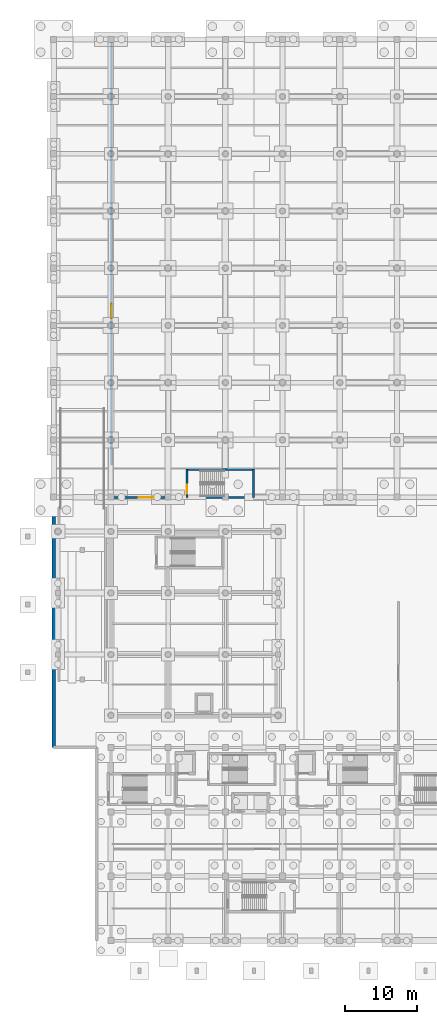
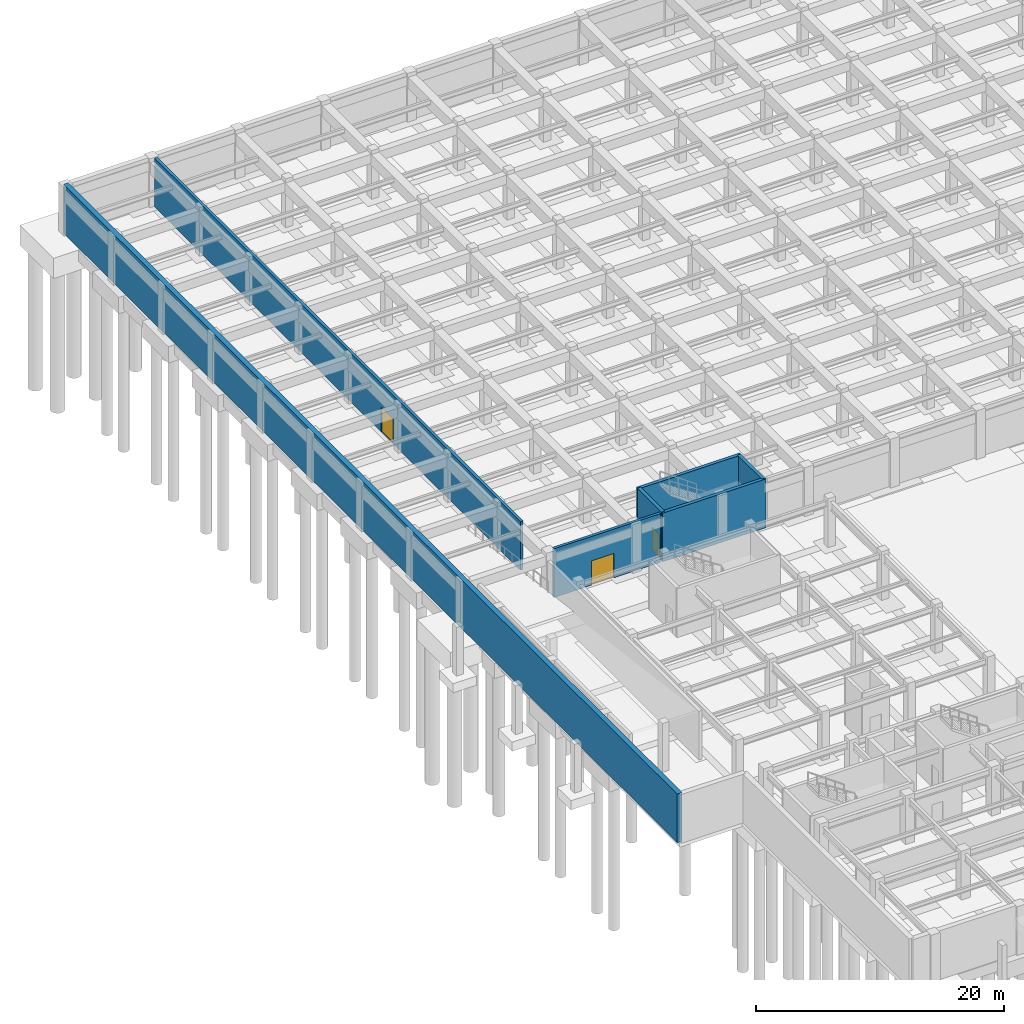
# One storey, part 32 of 48: 7 walls, 3 doors, 3 openings.
"""IFC4 building model written with IfcOpenShell, lengths in metres."""

import ifcopenshell
import ifcopenshell.guid

model = None  # the IFC model being written
_history = None  # IfcOwnerHistory: only IFC2X3 demands one
_inside = {}  # id of a spatial element -> (the spatial element, [elements in it])
_under = {}  # id of a project, library or spatial element -> (it, [spatial elements below it])
_declared = {}  # id of a project -> (the project, [libraries it declares])
_typed = {}  # id of a type object -> (the type object, [elements of that type])
_made_of = {}  # id of a material, layer set ... -> (it, [elements and type objects made of it])


def new_model(schema):
    """Start an empty IFC model of exactly this schema.

    Asked for "IFC4X3", IfcOpenShell would pick the latest addendum, in which some entities
    have other attributes; the version numbers below select the first issue.
    IFC2X3 requires an IfcOwnerHistory on every rooted entity: one is made here for all.
    """
    global model, _history
    if schema == "IFC4X3":
        model = ifcopenshell.file(schema_version=(4, 3, 0, 0))
    else:
        model = ifcopenshell.file(schema=schema)
    _inside.clear()
    _under.clear()
    _declared.clear()
    _typed.clear()
    _made_of.clear()
    _history = None
    if model.schema == "IFC2X3":
        org = make("IfcOrganization", Name="unknown")
        user = make(
            "IfcPersonAndOrganization",
            ThePerson=make("IfcPerson", FamilyName="unknown"),
            TheOrganization=org,
        )
        app = make(
            "IfcApplication",
            ApplicationDeveloper=org,
            Version="unknown",
            ApplicationFullName="unknown",
            ApplicationIdentifier="unknown",
        )
        _history = make(
            "IfcOwnerHistory",
            OwningUser=user,
            OwningApplication=app,
            ChangeAction="ADDED",
            CreationDate=0,
        )
    return model


def make(cls, **values):
    """One entity of the class cls with the attributes given. An attribute that is None is left unset."""
    return model.create_entity(
        cls, **{name: value for name, value in values.items() if value is not None}
    )


def rooted(cls, **values):
    """An entity with a GlobalId (a new one), such as an element, a storey or a relation."""
    return make(cls, GlobalId=ifcopenshell.guid.new(), OwnerHistory=_history, **values)


def si_unit(unit_type, name, prefix=None):
    """IfcSIUnit, for example si_unit("LENGTHUNIT", "METRE", prefix="MILLI")."""
    return make("IfcSIUnit", UnitType=unit_type, Prefix=prefix, Name=name)


def assignment(units):
    """IfcUnitAssignment: the units of a project."""
    return None if units is None else make("IfcUnitAssignment", Units=units)


def point(xyz):
    """IfcCartesianPoint."""
    return None if xyz is None else make("IfcCartesianPoint", Coordinates=xyz)


def direction(xyz):
    """IfcDirection."""
    return None if xyz is None else make("IfcDirection", DirectionRatios=xyz)


def frame(location, z_axis=None, x_axis=None):
    """IfcAxis2Placement3D, a coordinate frame: its origin and axes. An axis left out is left unset."""
    return make(
        "IfcAxis2Placement3D",
        Location=point(location),
        Axis=direction(z_axis),
        RefDirection=direction(x_axis),
    )


def frame_2d(location, x_axis=None):
    """IfcAxis2Placement2D, a coordinate frame in the plane: its origin and x axis."""
    return make(
        "IfcAxis2Placement2D", Location=point(location), RefDirection=direction(x_axis)
    )


def origin():
    """The frame at (0, 0, 0) with its axes left unset."""
    return frame((0.0, 0.0, 0.0))


def place(relative_to, where):
    """IfcLocalPlacement: puts the frame where relative to a parent placement (None: the world)."""
    return make(
        "IfcLocalPlacement", PlacementRelTo=relative_to, RelativePlacement=where
    )


def context(
    kind, dimensions, precision=None, world=None, true_north=None, identifier=None
):
    """IfcGeometricRepresentationContext, for example the 3D "Model" context."""
    return make(
        "IfcGeometricRepresentationContext",
        ContextIdentifier=identifier,
        ContextType=kind,
        CoordinateSpaceDimension=dimensions,
        Precision=precision,
        WorldCoordinateSystem=world,
        TrueNorth=true_north,
    )


def subcontext(parent, identifier, kind, view, scale=None):
    """IfcGeometricRepresentationSubContext, for example "Body" below "Model"."""
    return make(
        "IfcGeometricRepresentationSubContext",
        ContextIdentifier=identifier,
        ContextType=kind,
        ParentContext=parent,
        TargetScale=scale,
        TargetView=view,
    )


def project(units=None, contexts=None):
    """IfcProject with its units and contexts."""
    return rooted(
        "IfcProject",
        Name="project",
        RepresentationContexts=contexts,
        UnitsInContext=assignment(units),
    )


def spatial(cls, under=None, at=None, **own):
    """A site, building, storey or space (cls), placed at a placement, below another one or the project."""
    s = rooted(cls, ObjectPlacement=at, **own)
    if under is not None:
        _under.setdefault(under.id(), (under, []))[1].append(s)
    return s


def profile(cls, at=None, kind="AREA", **sizes):
    """A parametric profile (cls). Its sizes go by their IFC names, for example OverallWidth=200.0."""
    return make(cls, ProfileType=kind, Position=at, **sizes)


def rectangle(**sizes):
    """IfcRectangleProfileDef."""
    return profile("IfcRectangleProfileDef", **sizes)


def extrude(swept, where, along, depth):
    """IfcExtrudedAreaSolid: the profile swept, set in the frame where, extruded along a direction by depth."""
    return make(
        "IfcExtrudedAreaSolid",
        SweptArea=swept,
        Position=where,
        ExtrudedDirection=direction(along),
        Depth=depth,
    )


def shape(context_of_items, identifier, shape_type, items):
    """IfcShapeRepresentation: the items that make up one representation, for example the "Body"."""
    return make(
        "IfcShapeRepresentation",
        ContextOfItems=context_of_items,
        RepresentationIdentifier=identifier,
        RepresentationType=shape_type,
        Items=items,
    )


def material(Name=None, Category=None):
    """IfcMaterial."""
    return make("IfcMaterial", Name=Name, Category=Category)


def layer(
    of_material, thickness, ventilated=None, Name=None, Category=None, Priority=None
):
    """IfcMaterialLayer: one layer of a wall or slab, of a material (None: an air gap)."""
    return make(
        "IfcMaterialLayer",
        Material=of_material,
        LayerThickness=thickness,
        IsVentilated=ventilated,
        Name=Name,
        Category=Category,
        Priority=Priority,
    )


def layer_set(layers, Name=None):
    """IfcMaterialLayerSet."""
    return make("IfcMaterialLayerSet", MaterialLayers=layers, LayerSetName=Name)


def made_of(thing, what):
    """Note that an element or type object is made of a material, layer set ...; save() writes the relation."""
    if what is not None:
        _made_of.setdefault(what.id(), (what, []))[1].append(thing)
    return thing


def type_object(cls, material=None, **own):
    """A type object (cls), such as IfcWallType, which elements share."""
    return made_of(rooted(cls, **own), material)


def element(
    cls,
    number,
    at=None,
    inside=None,
    cuts=None,
    type_object=None,
    material=None,
    context=None,
    identifier="Body",
    shape_type=None,
    held_by="IfcProductDefinitionShape",
    body=None,
    shapes=None,
    **own,
):
    """One element of the class cls, such as IfcWall. Its Tag is "e" and its number.

    at: its placement. inside: the storey or other place that contains it. cuts: it is an
    opening in that element (IfcRelVoidsElement). A single representation is given by context,
    identifier, shape_type and body (its items); several are given by shapes. held_by: the class
    of the entity that holds the representations. save() writes the other relations.
    """
    e = rooted(cls, Tag="e%d" % number, ObjectPlacement=at, **own)
    if body is not None:
        shapes = [shape(context, identifier, shape_type, body)]
    if shapes is not None:
        e.Representation = make(held_by, Representations=shapes)
    if inside is not None:
        _inside.setdefault(inside.id(), (inside, []))[1].append(e)
    if cuts is not None:
        rooted(
            "IfcRelVoidsElement", RelatingBuildingElement=cuts, RelatedOpeningElement=e
        )
    if type_object is not None:
        _typed.setdefault(type_object.id(), (type_object, []))[1].append(e)
    return made_of(e, material)


def fill(opening, filler):
    """IfcRelFillsElement: the door or window that sits in an opening."""
    return rooted(
        "IfcRelFillsElement",
        RelatingOpeningElement=opening,
        RelatedBuildingElement=filler,
    )


def aggregate(whole, parts):
    """IfcRelAggregates: a whole, such as a stair, and the parts it consists of."""
    return rooted("IfcRelAggregates", RelatingObject=whole, RelatedObjects=parts)


def save(model, path):
    """Write the relations noted so far, then the file.

    IfcRelAggregates (storeys below a building ...), IfcRelContainedInSpatialStructure (elements
    in a storey), IfcRelDefinesByType, IfcRelAssociatesMaterial and IfcRelDeclares: one each for
    every whole, place, type object, material and project.
    """
    for whole, parts in _under.values():
        aggregate(whole, parts)
    for where, things in _inside.values():
        rooted(
            "IfcRelContainedInSpatialStructure",
            RelatedElements=things,
            RelatingStructure=where,
        )
    for kind, things in _typed.values():
        rooted("IfcRelDefinesByType", RelatedObjects=things, RelatingType=kind)
    for what, things in _made_of.values():
        rooted("IfcRelAssociatesMaterial", RelatedObjects=things, RelatingMaterial=what)
    for by, libraries in _declared.values():
        rooted("IfcRelDeclares", RelatingContext=by, RelatedDefinitions=libraries)
    model.write(path)


model = new_model("IFC4")

# Units and contexts
model_context = context("Model", 3, precision=1e-05, world=origin(), true_north=direction((0.0, 1.0)))
body_context = subcontext(model_context, "Body", "Model", "MODEL_VIEW")
ifc_project = project(units=[si_unit("LENGTHUNIT", "METRE"), si_unit("AREAUNIT", "SQUARE_METRE"), si_unit("VOLUMEUNIT", "CUBIC_METRE"), si_unit("PLANEANGLEUNIT", "RADIAN"), si_unit("MASSUNIT", "GRAM", prefix="KILO")], contexts=[model_context])

# Site, building, storey
site_placement = place(None, origin())
site = spatial("IfcSite", under=ifc_project, at=site_placement, CompositionType="ELEMENT")
building_placement = place(site_placement, origin())
building = spatial("IfcBuilding", under=site, at=building_placement, Name="Tlacozan Convention Centre", CompositionType="ELEMENT")
storey_placement = place(building_placement, frame((0.0, 0.0, -4.800048828125)))
storey = spatial("IfcBuildingStorey", under=building, at=storey_placement, Name="B01", CompositionType="ELEMENT", Elevation=-4.800048828125)

# Wall
ifc_material_1 = material(Name="Concrete C35/45", Category="concrete")
ifc_layer_1 = layer(ifc_material_1, 0.4599609375)
ifc_layer_set_1 = layer_set([ifc_layer_1], Name="Concrete C35/45")
wall_type_1 = type_object("IfcWallType", Name="Basement Retaining Wall 460", PredefinedType="SOLIDWALL", material=ifc_layer_set_1)
wall_1_placement = place(storey_placement, frame((0.0, 126.0, 0.0), z_axis=(0.0, 0.0, 1.0), x_axis=(0.0, -1.0, 0.0)))
element("IfcWall", 1, at=wall_1_placement, inside=storey, type_object=wall_type_1, Name="B01 Basement Retaining Wall 460 10", PredefinedType="SOLIDWALL", context=body_context, shape_type="SweptSolid", body=[
    extrude(rectangle(XDim=99.0, YDim=0.4599609375, at=frame_2d((49.5, 0.0))), origin(), (0.0, 0.0, 1.0), 4.800048828125),
])

# Wall, opening, door
ifc_material_2 = material(Name="Concrete C40/50", Category="concrete")
ifc_layer_2 = layer(ifc_material_2, 0.260009765625)
ifc_layer_set_2 = layer_set([ifc_layer_2], Name="Concrete C40/50")
wall_type_2 = type_object("IfcWallType", Name="Compartment Rated Wall RC 260", PredefinedType="SOLIDWALL", material=ifc_layer_set_2)
wall_2_placement = place(storey_placement, frame((8.39990234375, 61.93994140625, 0.0), z_axis=(0.0, 0.0, 1.0), x_axis=(1.0, 0.0, 0.0)))
wall_2 = element("IfcWall", 2, at=wall_2_placement, inside=storey, type_object=wall_type_2, Name="B01 Compartment Rated Wall RC 260 563", PredefinedType="SOLIDWALL", context=body_context, shape_type="SweptSolid", body=[
    extrude(rectangle(XDim=9.93017578125, YDim=0.260009765625, at=frame_2d((4.965087890625, 0.0))), origin(), (0.0, 0.0, 1.0), 4.800048828125),
])
opening_1_placement = place(wall_2_placement, frame((3.5, 0.0, 0.0)))
opening_1 = element("IfcOpeningElement", 3, at=opening_1_placement, cuts=wall_2, Name="Opening FD-04", PredefinedType="OPENING", context=body_context, shape_type="SweptSolid", body=[
    extrude(rectangle(XDim=2.10009765625, YDim=2.39990234375, at=frame_2d((1.050048828125, 1.199951171875))), frame((0.0, 0.139892578125, 0.0), z_axis=(0.0, -1.0, 0.0), x_axis=(1.0, 0.0, 0.0)), (0.0, 0.0, 1.0), 0.280029296875),
])
ifc_material_3 = material(Name="Fire-Rated Insulated Steel Door Leaf", Category="steel")
door_type_1 = type_object("IfcDoorType", Name="Fire Door Compartment Double 2100x2400 FD90", OperationType="DOUBLE_DOOR_SINGLE_SWING", PredefinedType="DOOR", material=ifc_material_3)
door_1_placement = place(opening_1_placement, origin())
door_1 = element("IfcDoor", 4, at=door_1_placement, inside=storey, type_object=door_type_1, Name="B01 Fire Door Compartment Double 2100x2400 FD90 148", OperationType="DOUBLE_DOOR_SINGLE_SWING", OverallHeight=2.39990234375, OverallWidth=2.10009765625, PredefinedType="DOOR", context=body_context, shape_type="SweptSolid", body=[
    extrude(rectangle(XDim=2.10009765625, YDim=2.39990234375, at=frame_2d((1.050048828125, 1.199951171875))), frame((0.0, 0.02490234375, 0.0), z_axis=(0.0, -1.0, 0.0), x_axis=(1.0, 0.0, 0.0)), (0.0, 0.0, 1.0), 0.050048828125),
])
fill(opening_1, door_1)

wall_3_placement = place(storey_placement, frame((8.10009765625, 66.5, 0.0), z_axis=(0.0, 0.0, 1.0), x_axis=(0.0, 1.0, 0.0)))
wall_3 = element("IfcWall", 5, at=wall_3_placement, inside=storey, type_object=wall_type_2, Name="B01 Compartment Rated Wall RC 260 566", PredefinedType="SOLIDWALL", context=body_context, shape_type="SweptSolid", body=[
    extrude(rectangle(XDim=59.0, YDim=0.260009765625, at=frame_2d((29.5, 0.0))), origin(), (0.0, 0.0, 1.0), 4.800048828125),
])
opening_2_placement = place(wall_3_placement, frame((20.5, 0.0, 0.0)))
opening_2 = element("IfcOpeningElement", 6, at=opening_2_placement, cuts=wall_3, Name="Opening ID-12", PredefinedType="OPENING", context=body_context, shape_type="SweptSolid", body=[
    extrude(rectangle(XDim=2.0, YDim=2.449951171875, at=frame_2d((1.0, 1.22509765625))), frame((0.0, 0.139892578125, 0.0), z_axis=(0.0, -1.0, 0.0), x_axis=(1.0, 0.0, 0.0)), (0.0, 0.0, 1.0), 0.280029296875),
])
door_type_2 = type_object("IfcDoorType", Name="Plant Equipment Double Door 2000x2450", OperationType="DOUBLE_DOOR_SINGLE_SWING", PredefinedType="DOOR", material=ifc_material_3)
door_2_placement = place(opening_2_placement, origin())
door_2 = element("IfcDoor", 7, at=door_2_placement, inside=storey, type_object=door_type_2, Name="B01 Plant Equipment Double Door 2000x2450 152", OperationType="DOUBLE_DOOR_SINGLE_SWING", OverallHeight=2.449951171875, OverallWidth=2.0, PredefinedType="DOOR", context=body_context, shape_type="SweptSolid", body=[
    extrude(rectangle(XDim=2.0, YDim=2.449951171875, at=frame_2d((1.0, 1.22509765625))), frame((0.0, 0.02490234375, 0.0), z_axis=(0.0, -1.0, 0.0), x_axis=(1.0, 0.0, 0.0)), (0.0, 0.0, 1.0), 0.050048828125),
])
fill(opening_2, door_2)

# Walls
ifc_layer_3 = layer(ifc_material_2, 0.31005859375)
ifc_layer_set_3 = layer_set([ifc_layer_3], Name="Concrete C40/50")
wall_type_3 = type_object("IfcWallType", Name="Stair Shaft Shear Wall RC 310", PredefinedType="SHEAR", material=ifc_layer_set_3)
for number, where, z_axis, x_axis, name in (
    (8, (18.485107421875, 61.93994140625, 0.0), (0.0, 0.0, 1.0), (1.0, 0.0, 0.0), "B01 Stair Shaft Shear Wall RC 310 481"),
    (9, (18.485107421875, 65.860107421875, 0.0), (0.0, 0.0, 1.0), (1.0, 0.0, 0.0), "B01 Stair Shaft Shear Wall RC 310 482"),
):
    element("IfcWall", number, at=place(storey_placement, frame(where, z_axis=z_axis, x_axis=x_axis)), inside=storey, type_object=wall_type_3, Name=name, PredefinedType="SHEAR", context=body_context, shape_type="SweptSolid", body=[
        extrude(rectangle(XDim=9.6298828125, YDim=0.31005859375, at=frame_2d((4.81494140625, 0.0))), origin(), (0.0, 0.0, 1.0), 4.800048828125),
    ])

# Wall, opening, door
wall_4_placement = place(storey_placement, frame((18.639892578125, 61.93994140625, 0.0), z_axis=(0.0, 0.0, 1.0), x_axis=(0.0, 1.0, 0.0)))
wall_4 = element("IfcWall", 10, at=wall_4_placement, inside=storey, type_object=wall_type_3, Name="B01 Stair Shaft Shear Wall RC 310 483", PredefinedType="SHEAR", context=body_context, shape_type="SweptSolid", body=[
    extrude(rectangle(XDim=3.920166015625, YDim=0.31005859375, at=frame_2d((1.9599609375, 0.0))), origin(), (0.0, 0.0, 1.0), 4.800048828125),
])
opening_3_placement = place(wall_4_placement, frame((0.550048828125, 0.0, 0.0)))
opening_3 = element("IfcOpeningElement", 11, at=opening_3_placement, cuts=wall_4, Name="Opening FD-05", PredefinedType="OPENING", context=body_context, shape_type="SweptSolid", body=[
    extrude(rectangle(XDim=1.25, YDim=2.199951171875, at=frame_2d((0.625, 1.10009765625))), frame((0.0, 0.1650390625, 0.0), z_axis=(0.0, -1.0, 0.0), x_axis=(1.0, 0.0, 0.0)), (0.0, 0.0, 1.0), 0.330078125),
])
door_type_3 = type_object("IfcDoorType", Name="Fire Door Wide Stair 1250x2200 FD90", OperationType="NOTDEFINED", PredefinedType="DOOR", material=ifc_material_3)
door_3_placement = place(opening_3_placement, origin())
door_3 = element("IfcDoor", 12, at=door_3_placement, inside=storey, type_object=door_type_3, Name="B01 Stair ST-10 Access Door", OperationType="SINGLE_SWING_LEFT", OverallHeight=2.199951171875, OverallWidth=1.25, PredefinedType="DOOR", context=body_context, shape_type="SweptSolid", body=[
    extrude(rectangle(XDim=1.25, YDim=2.199951171875, at=frame_2d((0.625, 1.10009765625))), frame((0.0, 0.02490234375, 0.0), z_axis=(0.0, -1.0, 0.0), x_axis=(1.0, 0.0, 0.0)), (0.0, 0.0, 1.0), 0.050048828125),
])
fill(opening_3, door_3)

# Wall
wall_5_placement = place(storey_placement, frame((27.9599609375, 61.93994140625, 0.0), z_axis=(0.0, 0.0, 1.0), x_axis=(0.0, 1.0, 0.0)))
element("IfcWall", 13, at=wall_5_placement, inside=storey, type_object=wall_type_3, Name="B01 Stair Shaft Shear Wall RC 310 484", PredefinedType="SHEAR", context=body_context, shape_type="SweptSolid", body=[
    extrude(rectangle(XDim=3.920166015625, YDim=0.31005859375, at=frame_2d((1.9599609375, 0.0))), origin(), (0.0, 0.0, 1.0), 4.800048828125),
])

save(model, "model.ifc")
